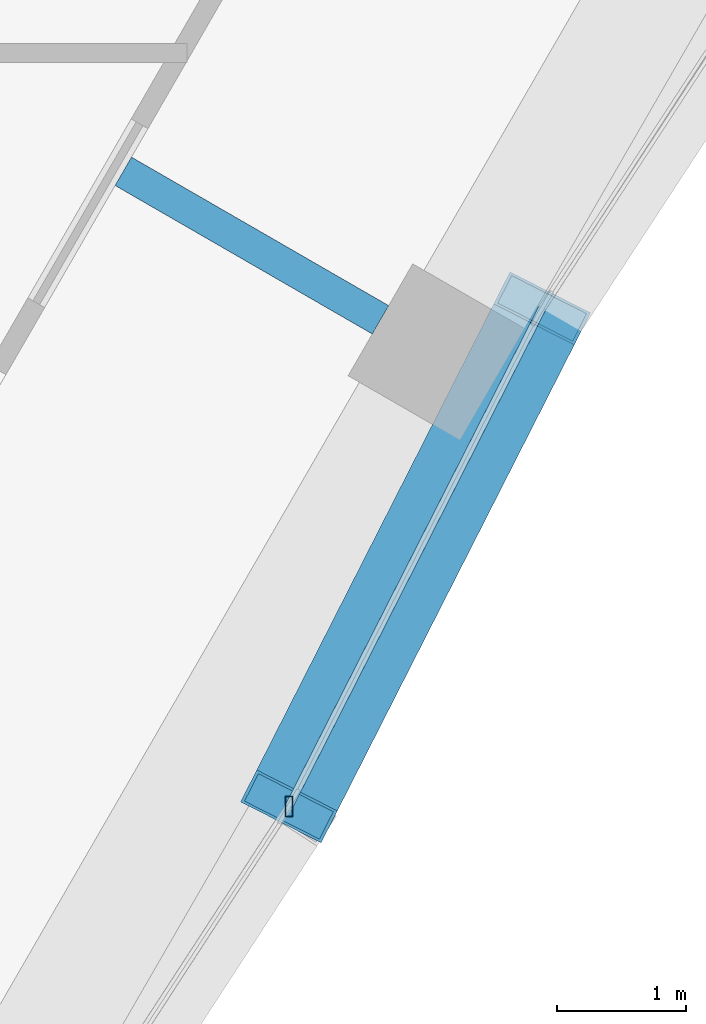
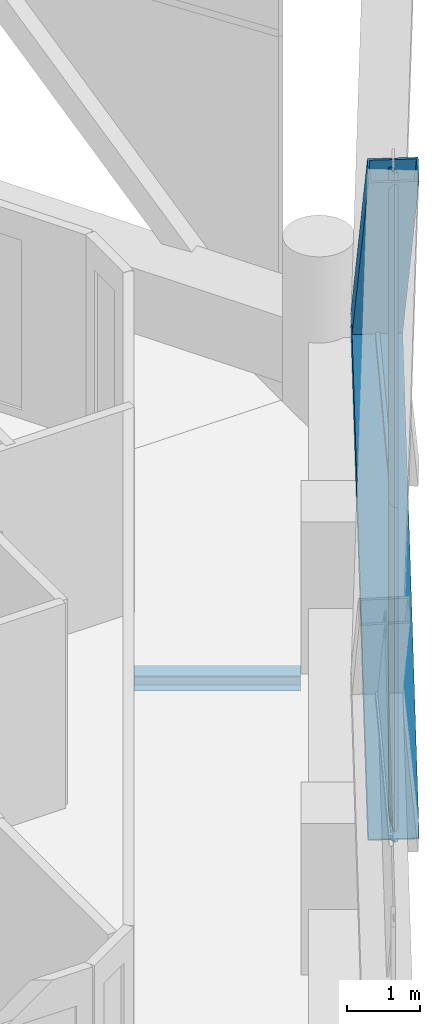
# One storey, part 6 of 18: 5 members, 1 beam, 2 elements without a shape of their own.
"""IFC4 building model written with IfcOpenShell, lengths in metres."""

from ifc_helpers import new_model, si_unit, direction, frame, origin, origin_2d, place, context, subcontext, project, spatial, hollow_rectangle, i_section, extrude, material, material_profile, profile_set, type_object, element, aggregate, save


model = new_model("IFC4")

# Units and contexts
model_context = context("Model", 3, precision=1e-05, world=origin(), true_north=direction((0.0, 1.0)))
body_context = subcontext(model_context, "Body", "Model", "MODEL_VIEW")
ifc_project = project(units=[si_unit("LENGTHUNIT", "METRE"), si_unit("AREAUNIT", "SQUARE_METRE"), si_unit("VOLUMEUNIT", "CUBIC_METRE"), si_unit("PLANEANGLEUNIT", "RADIAN"), si_unit("MASSUNIT", "GRAM", prefix="KILO")], contexts=[model_context])

# Site, building, storey
site_placement = place(None, origin())
site = spatial("IfcSite", under=ifc_project, at=site_placement, CompositionType="ELEMENT")
building_placement = place(site_placement, origin())
building = spatial("IfcBuilding", under=site, at=building_placement, Name="Ostrander Bayou Hotel Tower", CompositionType="ELEMENT")
storey_placement = place(building_placement, frame((0.0, 0.0, 175.75)))
storey = spatial("IfcBuildingStorey", under=building, at=storey_placement, Name="L43", CompositionType="ELEMENT", Elevation=175.75)

# Curtain wall, members
ifc_material_1 = material(Name="Aluminium and clear glass", Category="aluminium")
curtain_wall_type = type_object("IfcCurtainWallType", Name="CW-LAT lattice glazing", PredefinedType="NOTDEFINED", material=ifc_material_1)
curtain_wall_1_placement = place(storey_placement, origin())
curtain_wall_1 = element("IfcCurtainWall", 1, at=curtain_wall_1_placement, inside=storey, type_object=curtain_wall_type, Name="CW-LAT L43 SE 1", PredefinedType="NOTDEFINED")
ifc_material_2 = material(Name="Aluminium", Category="aluminium")
ifc_material_profile_1 = material_profile(ifc_material_2, hollow_rectangle(XDim=0.06005859375, YDim=0.159912109375, WallThickness=0.00390625, at=origin_2d()))
ifc_profile_set_1 = profile_set([ifc_material_profile_1], Name="Aluminium")
member_type_1 = type_object("IfcMemberType", Name="CW-LA mullion 60 x 160 mm", PredefinedType="MULLION", material=ifc_profile_set_1)
member_1_placement = place(storey_placement, frame((16.51513671875, -9.534912109375, -0.60009765625), z_axis=(0.0, 0.0, 1.0), x_axis=(1.0, 0.0, 0.0)))
member_1 = element("IfcMember", 2, at=member_1_placement, type_object=member_type_1, Name="CW-LAT mullion 4", PredefinedType="MULLION", context=body_context, shape_type="SweptSolid", body=[
    extrude(hollow_rectangle(XDim=0.06005859375, YDim=0.159912109375, WallThickness=0.00390625, at=origin_2d()), origin(), (0.0, 0.0, 1.0), 5.625),
])
member_2_placement = place(storey_placement, frame((16.51513671875, -9.534912109375, 5.02490234375), z_axis=(0.0, 0.0, 1.0), x_axis=(1.0, 0.0, 0.0)))
member_2 = element("IfcMember", 3, at=member_2_placement, type_object=member_type_1, Name="CW-LAT mullion 5", PredefinedType="MULLION", context=body_context, shape_type="SweptSolid", body=[
    extrude(hollow_rectangle(XDim=0.06005859375, YDim=0.159912109375, WallThickness=0.00390625, at=origin_2d()), origin(), (0.0, 0.0, 1.0), 5.625),
])
aggregate(curtain_wall_1, [member_1, member_2])

# Curtain wall, member
curtain_wall_2_placement = place(storey_placement, origin())
curtain_wall_2 = element("IfcCurtainWall", 4, at=curtain_wall_2_placement, inside=storey, type_object=curtain_wall_type, Name="CW-LAT L43 SE 2", PredefinedType="NOTDEFINED")
ifc_material_3 = material(Name="Aluminium", Category="aluminium")
ifc_material_profile_2 = material_profile(ifc_material_3, hollow_rectangle(XDim=0.06005859375, YDim=0.1201171875, WallThickness=0.00390625, at=origin_2d()))
ifc_profile_set_2 = profile_set([ifc_material_profile_2], Name="Aluminium")
member_type_2 = type_object("IfcMemberType", Name="CW-LA transom 60 x 120 mm", PredefinedType="USERDEFINED", material=ifc_profile_set_2)
member_3_placement = place(storey_placement, frame((16.51513671875, -9.534912109375, 5.02490234375), z_axis=(0.453229200101, 0.891394016233, 0.0), x_axis=(-0.891394016233, 0.453229200101, 0.0)))
member_3 = element("IfcMember", 5, at=member_3_placement, type_object=member_type_2, Name="CW-LAT transom 7", ObjectType="TRANSOM", PredefinedType="USERDEFINED", context=body_context, shape_type="SweptSolid", body=[
    extrude(hollow_rectangle(XDim=0.06005859375, YDim=0.1201171875, WallThickness=0.00390625, at=origin_2d()), origin(), (0.0, 0.0, 1.0), 4.3271484375),
])
aggregate(curtain_wall_2, [member_3])

# Beam
ifc_material_4 = material(Name="Steel ASTM A992", Category="steel")
ifc_material_profile_3 = material_profile(ifc_material_4, i_section(OverallWidth=0.25390625, OverallDepth=0.25341796875, WebThickness=0.008544921875, FlangeThickness=0.01416015625, at=origin_2d()))
ifc_profile_set_3 = profile_set([ifc_material_profile_3], Name="Steel ASTM A992")
beam_type = type_object("IfcBeamType", Name="LB2 loggia bracket W10x49", PredefinedType="BEAM", material=ifc_profile_set_3)
beam_placement = place(storey_placement, frame((17.224365234375, -5.7666015625, -0.4267578125), z_axis=(-0.866053019151, 0.499952165731, 0.0), x_axis=(-0.499952165731, -0.866053019151, 0.0)))
element("IfcBeam", 6, at=beam_placement, inside=storey, type_object=beam_type, Name="LB2 L43 SE2", PredefinedType="BEAM", context=body_context, shape_type="SweptSolid", body=[
    extrude(i_section(OverallWidth=0.25390625, OverallDepth=0.25341796875, WebThickness=0.008544921875, FlangeThickness=0.01416015625, at=origin_2d()), origin(), (0.0, 0.0, 1.0), 2.300048828125),
])

# Members
ifc_material_5 = material(Name="Steel ASTM A572 Gr 50", Category="steel")
ifc_material_profile_4 = material_profile(ifc_material_5, hollow_rectangle(XDim=0.699951171875, YDim=0.35009765625, WallThickness=0.02490234375, at=origin_2d()))
ifc_profile_set_4 = profile_set([ifc_material_profile_4], Name="Steel ASTM A572 Gr 50")
member_type_3 = type_object("IfcMemberType", Name="LT1 lattice member box 700 x 350 x 25 mm", PredefinedType="BRACE", material=ifc_profile_set_4)
for number, where, z_axis, x_axis, name in (
    (7, (18.476318359375, -5.677734375, 5.02490234375), (-0.276347020175, -0.543508847473, -0.792609902259), (0.891394016233, -0.453229200101, 0.0), "LT1 L43 SE 5"),
    (8, (18.476318359375, -5.677734375, 5.02490234375), (-0.276347020175, -0.543508847473, 0.792609902259), (0.891394016233, -0.453229200101, 0.0), "LT1 L43 SE 6"),
):
    element("IfcMember", number, at=place(storey_placement, frame(where, z_axis=z_axis, x_axis=x_axis)), inside=storey, type_object=member_type_3, Name=name, PredefinedType="BRACE", context=body_context, shape_type="SweptSolid", body=[
        extrude(hollow_rectangle(XDim=0.699951171875, YDim=0.35009765625, WallThickness=0.02490234375, at=origin_2d()), origin(), (0.0, 0.0, 1.0), 7.096923828125),
    ])

save(model, "model.ifc")
